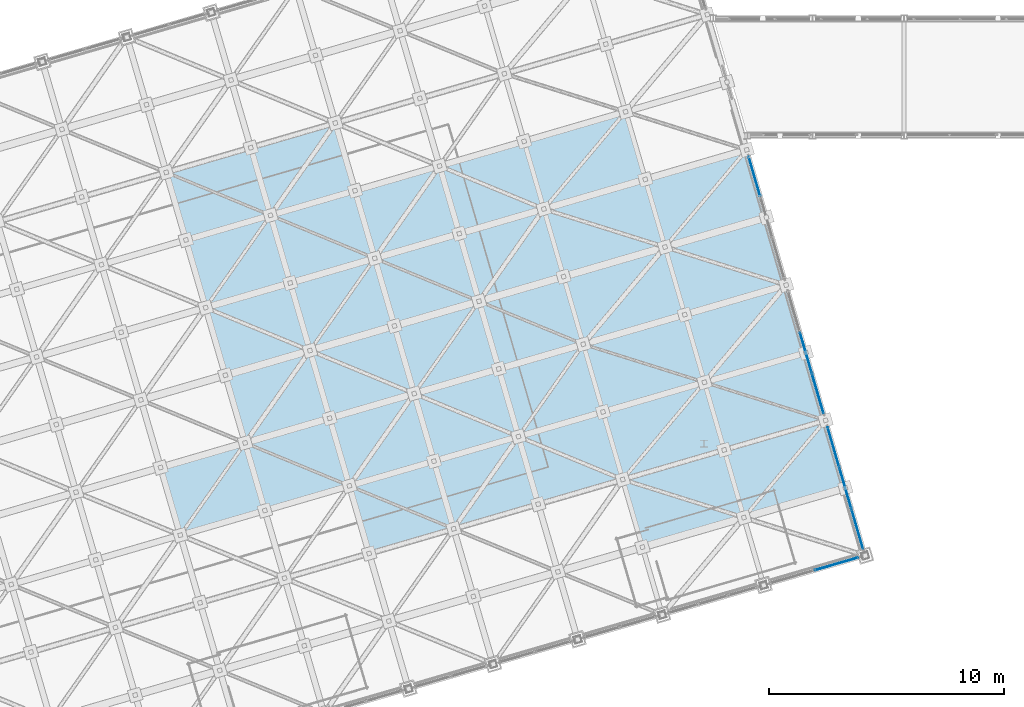
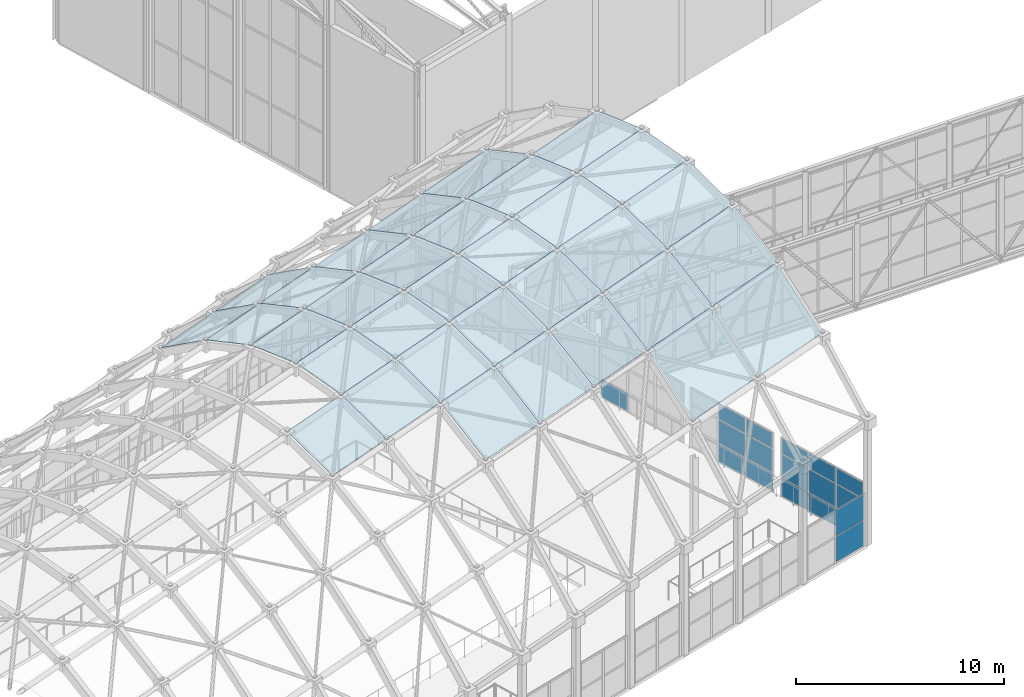
# One storey, part 203 of 248: 51 plates, 4 elements without a shape of their own.
"""IFC4 building model written with IfcOpenShell, lengths in metres."""

from ifc_helpers import new_model, si_unit, direction, frame, origin, origin_2d, place, context, subcontext, project, spatial, polyline, rectangle, outline, extrude, material, layer, layer_set, type_object, element, aggregate, save


model = new_model("IFC4")

# Units and contexts
model_context = context("Model", 3, precision=1e-05, world=origin(), true_north=direction((0.0, 1.0)))
body_context = subcontext(model_context, "Body", "Model", "MODEL_VIEW")
ifc_project = project(units=[si_unit("LENGTHUNIT", "METRE"), si_unit("AREAUNIT", "SQUARE_METRE"), si_unit("VOLUMEUNIT", "CUBIC_METRE"), si_unit("PLANEANGLEUNIT", "RADIAN"), si_unit("MASSUNIT", "GRAM", prefix="KILO")], contexts=[model_context])

# Site, building, storey
site_placement = place(None, origin())
site = spatial("IfcSite", under=ifc_project, at=site_placement, CompositionType="ELEMENT")
building_placement = place(site_placement, origin())
building = spatial("IfcBuilding", under=site, at=building_placement, Name="Canggui Botanical Conservatory", CompositionType="ELEMENT")
storey_placement = place(building_placement, frame((0.0, 0.0, 5.39990234375)))
storey = spatial("IfcBuildingStorey", under=building, at=storey_placement, Name="L02", CompositionType="ELEMENT", Elevation=5.39990234375)

# Curtain wall, plates
ifc_material_1 = material(Name="Thermally Broken Aluminium", Category="aluminium")
ifc_layer_1 = layer(ifc_material_1, 0.14990234375, Name="Thermally Broken Aluminium", Category="aluminium")
ifc_layer_set_1 = layer_set([ifc_layer_1], Name="Thermally Broken Aluminium")
curtain_wall_type_1 = type_object("IfcCurtainWallType", Name="CW-UNIT-C", PredefinedType="USERDEFINED", material=ifc_layer_set_1)
curtain_wall_1_placement = place(storey_placement, origin())
curtain_wall_1 = element("IfcCurtainWall", 1, at=curtain_wall_1_placement, inside=storey, type_object=curtain_wall_type_1, Name="Facade Curtain Wall CW-CONS-GABLE-L02-N-01", ObjectType="UNITISED CURTAIN WALL", PredefinedType="USERDEFINED")
ifc_material_2 = material(Name="Low-E Insulated Glass", Category="glass")
ifc_layer_2 = layer(ifc_material_2, 0.033935546875, Name="Low-E Insulated Glass", Category="glass")
ifc_layer_set_2 = layer_set([ifc_layer_2], Name="Low-E Insulated Glass")
plate_type_1 = type_object("IfcPlateType", Name="CWP-03", PredefinedType="CURTAIN_PANEL", material=ifc_layer_set_2)
plate_1_placement = place(storey_placement, frame((71.509033203125, 58.25439453125, 0.054931640625), z_axis=(0.0, 0.0, 1.0), x_axis=(-0.279999999995, 0.960000000002, 0.0)))
plate_1 = element("IfcPlate", 2, at=plate_1_placement, type_object=plate_type_1, Name="CW-03 panel 1.1", PredefinedType="CURTAIN_PANEL", context=body_context, shape_type="SweptSolid", body=[
    extrude(rectangle(XDim=1.743408203125, YDim=0.033935546875, at=origin_2d()), origin(), (0.0, 0.0, 1.0), 1.03759765625),
])
plate_2_placement = place(storey_placement, frame((71.509033203125, 58.25439453125, 1.1474609375), z_axis=(0.0, 0.0, 1.0), x_axis=(-0.279999999995, 0.960000000002, 0.0)))
plate_2 = element("IfcPlate", 3, at=plate_2_placement, type_object=plate_type_1, Name="CW-03 panel 1.2", PredefinedType="CURTAIN_PANEL", context=body_context, shape_type="SweptSolid", body=[
    extrude(rectangle(XDim=1.743408203125, YDim=0.033935546875, at=origin_2d()), origin(), (0.0, 0.0, 1.0), 1.344970703125),
])
plate_3_placement = place(storey_placement, frame((71.509033203125, 58.25439453125, 2.547607421875), z_axis=(0.0, 0.0, 1.0), x_axis=(-0.279999999995, 0.960000000002, 0.0)))
plate_3 = element("IfcPlate", 4, at=plate_3_placement, type_object=plate_type_1, Name="CW-03 panel 1.3", PredefinedType="CURTAIN_PANEL", context=body_context, shape_type="SweptSolid", body=[
    extrude(rectangle(XDim=1.743408203125, YDim=0.033935546875, at=origin_2d()), origin(), (0.0, 0.0, 1.0), 0.8974609375),
])
plate_4_placement = place(storey_placement, frame((71.0, 60.0, 0.054931640625), z_axis=(0.0, 0.0, 1.0), x_axis=(-0.279999999995, 0.960000000002, 0.0)))
plate_4 = element("IfcPlate", 5, at=plate_4_placement, type_object=plate_type_1, Name="CW-03 panel 2.1", PredefinedType="CURTAIN_PANEL", context=body_context, shape_type="SweptSolid", body=[
    extrude(rectangle(XDim=1.7734375, YDim=0.033935546875, at=origin_2d()), origin(), (0.0, 0.0, 1.0), 1.03759765625),
])
plate_5_placement = place(storey_placement, frame((71.0, 60.0, 1.1474609375), z_axis=(0.0, 0.0, 1.0), x_axis=(-0.279999999995, 0.960000000002, 0.0)))
plate_5 = element("IfcPlate", 6, at=plate_5_placement, type_object=plate_type_1, Name="CW-03 panel 2.2", PredefinedType="CURTAIN_PANEL", context=body_context, shape_type="SweptSolid", body=[
    extrude(rectangle(XDim=1.7734375, YDim=0.033935546875, at=origin_2d()), origin(), (0.0, 0.0, 1.0), 1.344970703125),
])
plate_6_placement = place(storey_placement, frame((71.0, 60.0, 2.547607421875), z_axis=(0.0, 0.0, 1.0), x_axis=(-0.279999999995, 0.960000000002, 0.0)))
plate_6 = element("IfcPlate", 7, at=plate_6_placement, type_object=plate_type_1, Name="CW-03 panel 2.3", PredefinedType="CURTAIN_PANEL", context=body_context, shape_type="SweptSolid", body=[
    extrude(rectangle(XDim=1.7734375, YDim=0.033935546875, at=origin_2d()), origin(), (0.0, 0.0, 1.0), 0.8974609375),
])
plate_7_placement = place(storey_placement, frame((70.490966796875, 61.74560546875, 0.054931640625), z_axis=(0.0, 0.0, 1.0), x_axis=(-0.279999999995, 0.960000000002, 0.0)))
plate_7 = element("IfcPlate", 8, at=plate_7_placement, type_object=plate_type_1, Name="CW-03 panel 3.1", PredefinedType="CURTAIN_PANEL", context=body_context, shape_type="SweptSolid", body=[
    extrude(rectangle(XDim=1.743408203125, YDim=0.033935546875, at=origin_2d()), origin(), (0.0, 0.0, 1.0), 1.03759765625),
])
plate_8_placement = place(storey_placement, frame((70.490966796875, 61.74560546875, 1.1474609375), z_axis=(0.0, 0.0, 1.0), x_axis=(-0.279999999995, 0.960000000002, 0.0)))
plate_8 = element("IfcPlate", 9, at=plate_8_placement, type_object=plate_type_1, Name="CW-03 panel 3.2", PredefinedType="CURTAIN_PANEL", context=body_context, shape_type="SweptSolid", body=[
    extrude(rectangle(XDim=1.743408203125, YDim=0.033935546875, at=origin_2d()), origin(), (0.0, 0.0, 1.0), 1.344970703125),
])
plate_9_placement = place(storey_placement, frame((70.490966796875, 61.74560546875, 2.547607421875), z_axis=(0.0, 0.0, 1.0), x_axis=(-0.279999999995, 0.960000000002, 0.0)))
plate_9 = element("IfcPlate", 10, at=plate_9_placement, type_object=plate_type_1, Name="CW-03 panel 3.3", PredefinedType="CURTAIN_PANEL", context=body_context, shape_type="SweptSolid", body=[
    extrude(rectangle(XDim=1.743408203125, YDim=0.033935546875, at=origin_2d()), origin(), (0.0, 0.0, 1.0), 0.8974609375),
])
aggregate(curtain_wall_1, [plate_1, plate_2, plate_3, plate_4, plate_5, plate_6, plate_7, plate_8, plate_9])

curtain_wall_2_placement = place(storey_placement, origin())
curtain_wall_2 = element("IfcCurtainWall", 11, at=curtain_wall_2_placement, inside=storey, type_object=curtain_wall_type_1, Name="Facade Curtain Wall CW-CONS-GABLE-L02-N-02", ObjectType="UNITISED CURTAIN WALL", PredefinedType="USERDEFINED")
plate_10_placement = place(storey_placement, frame((69.8291015625, 64.014404296875, 0.054931640625), z_axis=(0.0, 0.0, 1.0), x_axis=(-0.279999999995, 0.960000000002, 0.0)))
plate_10 = element("IfcPlate", 12, at=plate_10_placement, type_object=plate_type_1, Name="CW-03 panel 1.1", PredefinedType="CURTAIN_PANEL", context=body_context, shape_type="SweptSolid", body=[
    extrude(rectangle(XDim=1.743408203125, YDim=0.033935546875, at=origin_2d()), origin(), (0.0, 0.0, 1.0), 1.03759765625),
])
plate_11_placement = place(storey_placement, frame((69.8291015625, 64.014404296875, 1.1474609375), z_axis=(0.0, 0.0, 1.0), x_axis=(-0.279999999995, 0.960000000002, 0.0)))
plate_11 = element("IfcPlate", 13, at=plate_11_placement, type_object=plate_type_1, Name="CW-03 panel 1.2", PredefinedType="CURTAIN_PANEL", context=body_context, shape_type="SweptSolid", body=[
    extrude(rectangle(XDim=1.743408203125, YDim=0.033935546875, at=origin_2d()), origin(), (0.0, 0.0, 1.0), 1.344970703125),
])
plate_12_placement = place(storey_placement, frame((69.8291015625, 64.014404296875, 2.547607421875), z_axis=(0.0, 0.0, 1.0), x_axis=(-0.279999999995, 0.960000000002, 0.0)))
plate_12 = element("IfcPlate", 14, at=plate_12_placement, type_object=plate_type_1, Name="CW-03 panel 1.3", PredefinedType="CURTAIN_PANEL", context=body_context, shape_type="SweptSolid", body=[
    extrude(rectangle(XDim=1.743408203125, YDim=0.033935546875, at=origin_2d()), origin(), (0.0, 0.0, 1.0), 0.8974609375),
])
plate_13_placement = place(storey_placement, frame((69.320068359375, 65.760009765625, 0.054931640625), z_axis=(0.0, 0.0, 1.0), x_axis=(-0.279999999995, 0.960000000002, 0.0)))
plate_13 = element("IfcPlate", 15, at=plate_13_placement, type_object=plate_type_1, Name="CW-03 panel 2.1", PredefinedType="CURTAIN_PANEL", context=body_context, shape_type="SweptSolid", body=[
    extrude(rectangle(XDim=1.7734375, YDim=0.033935546875, at=origin_2d()), origin(), (0.0, 0.0, 1.0), 1.03759765625),
])
plate_14_placement = place(storey_placement, frame((69.320068359375, 65.760009765625, 1.1474609375), z_axis=(0.0, 0.0, 1.0), x_axis=(-0.279999999995, 0.960000000002, 0.0)))
plate_14 = element("IfcPlate", 16, at=plate_14_placement, type_object=plate_type_1, Name="CW-03 panel 2.2", PredefinedType="CURTAIN_PANEL", context=body_context, shape_type="SweptSolid", body=[
    extrude(rectangle(XDim=1.7734375, YDim=0.033935546875, at=origin_2d()), origin(), (0.0, 0.0, 1.0), 1.344970703125),
])
plate_15_placement = place(storey_placement, frame((69.320068359375, 65.760009765625, 2.547607421875), z_axis=(0.0, 0.0, 1.0), x_axis=(-0.279999999995, 0.960000000002, 0.0)))
plate_15 = element("IfcPlate", 17, at=plate_15_placement, type_object=plate_type_1, Name="CW-03 panel 2.3", PredefinedType="CURTAIN_PANEL", context=body_context, shape_type="SweptSolid", body=[
    extrude(rectangle(XDim=1.7734375, YDim=0.033935546875, at=origin_2d()), origin(), (0.0, 0.0, 1.0), 0.8974609375),
])
aggregate(curtain_wall_2, [plate_10, plate_11, plate_12, plate_13, plate_14, plate_15])

# Curtain wall, plate
curtain_wall_3_placement = place(storey_placement, origin())
curtain_wall_3 = element("IfcCurtainWall", 18, at=curtain_wall_3_placement, inside=storey, type_object=curtain_wall_type_1, Name="Facade Curtain Wall CW-CONS-GABLE-L02-N-03", ObjectType="UNITISED CURTAIN WALL", PredefinedType="USERDEFINED")
plate_16_placement = place(storey_placement, frame((67.130859375, 73.265625, 0.054931640625), z_axis=(0.0, 0.0, 1.0), x_axis=(-0.279999999995, 0.960000000002, 0.0)))
plate_16 = element("IfcPlate", 19, at=plate_16_placement, type_object=plate_type_1, Name="CW-03 panel 3.1", PredefinedType="CURTAIN_PANEL", context=body_context, shape_type="SweptSolid", body=[
    extrude(rectangle(XDim=1.743408203125, YDim=0.033935546875, at=origin_2d()), origin(), (0.0, 0.0, 1.0), 1.03759765625),
])
aggregate(curtain_wall_3, [plate_16])

# Curtain wall, plates
ifc_layer_3 = layer(ifc_material_1, 0.135009765625, Name="Thermally Broken Aluminium", Category="aluminium")
ifc_layer_set_3 = layer_set([ifc_layer_3], Name="Thermally Broken Aluminium")
curtain_wall_type_2 = type_object("IfcCurtainWallType", Name="CW-STICK-A", PredefinedType="USERDEFINED", material=ifc_layer_set_3)
curtain_wall_4_placement = place(storey_placement, origin())
curtain_wall_4 = element("IfcCurtainWall", 20, at=curtain_wall_4_placement, inside=storey, type_object=curtain_wall_type_2, Name="Facade Curtain Wall CW-CONS-L02-V0-14", ObjectType="STICK GLAZED WALL", PredefinedType="USERDEFINED")
ifc_layer_4 = layer(ifc_material_2, 0.0380859375, Name="Low-E Insulated Glass", Category="glass")
ifc_layer_set_4 = layer_set([ifc_layer_4], Name="Low-E Insulated Glass")
plate_type_2 = type_object("IfcPlateType", Name="CWP-04", PredefinedType="CURTAIN_PANEL", material=ifc_layer_set_4)
plate_17_placement = place(storey_placement, frame((70.62548828125, 56.765869140625, 0.050048828125), z_axis=(0.0, 0.0, 1.0), x_axis=(-0.960000000002, -0.279999999995, 0.0)))
plate_17 = element("IfcPlate", 21, at=plate_17_placement, type_object=plate_type_2, Name="CW-04 panel 1.1", PredefinedType="CURTAIN_PANEL", context=body_context, shape_type="SweptSolid", body=[
    extrude(rectangle(XDim=1.909912109375, YDim=0.0380859375, at=origin_2d()), origin(), (0.0, 0.0, 1.0), 1.47509765625),
])
plate_18_placement = place(storey_placement, frame((70.62548828125, 56.765869140625, 1.574951171875), z_axis=(0.0, 0.0, 1.0), x_axis=(-0.960000000002, -0.279999999995, 0.0)))
plate_18 = element("IfcPlate", 22, at=plate_18_placement, type_object=plate_type_2, Name="CW-04 panel 1.2", PredefinedType="CURTAIN_PANEL", context=body_context, shape_type="SweptSolid", body=[
    extrude(rectangle(XDim=1.909912109375, YDim=0.0380859375, at=origin_2d()), origin(), (0.0, 0.0, 1.0), 1.47509765625),
])
aggregate(curtain_wall_4, [plate_17, plate_18])

# Plates
ifc_layer_5 = layer(ifc_material_2, 0.028076171875, Name="Low-E Insulated Glass", Category="glass")
ifc_layer_set_5 = layer_set([ifc_layer_5], Name="Low-E Insulated Glass")
plate_type_3 = type_object("IfcPlateType", Name="PLT-GS-GLAZ-28", PredefinedType="SHEET", material=ifc_layer_set_5)
plate_19_placement = place(storey_placement, frame((42.679931640625, 57.989990234375, 13.67919921875), z_axis=(0.040530637758, -0.360831619611, 0.931749864337), x_axis=(0.957872839569, 0.279381114647, 0.066526806583)))
element("IfcPlate", 23, at=plate_19_placement, inside=storey, type_object=plate_type_3, Name="Conservatory Stepped-Arch Roof Glazing Panel 8-4", PredefinedType="SHEET", context=body_context, shape_type="SweptSolid", body=[
    extrude(outline(polyline([(0.0, 0.0), (3.7584312783998963, -5.551115123125783e-17), (3.834948041308109, 3.2125362071208245), (0.07681882686187883, 3.212684030173409), (0.0, 0.0)])), origin(), (0.0, 0.0, -1.0), 0.028076171875),
])
plate_20_placement = place(storey_placement, frame((46.280029296875, 59.0400390625, 13.92919921875), z_axis=(0.040545841784, -0.360840794112, 0.931745649852), x_axis=(0.957867112999, 0.279401777977, 0.066522479646)))
element("IfcPlate", 24, at=plate_20_placement, inside=storey, type_object=plate_type_3, Name="Conservatory Stepped-Arch Roof Glazing Panel 9-4", PredefinedType="SHEET", context=body_context, shape_type="SweptSolid", body=[
    extrude(outline(polyline([(0.0, 0.0), (3.758197423683309, 1.5265566588595902e-16), (3.835007375651945, 3.2124653757340846), (0.07657609769300154, 3.212534793560152), (0.0, 0.0)])), origin(), (0.0, 0.0, -1.0), 0.028076171875),
])
plate_21_placement = place(storey_placement, frame((45.43994140625, 61.919921875, 15.0810546875), z_axis=(-0.027868329679, -0.140099194422, 0.989745205557), x_axis=(0.95787239265, 0.279384741581, 0.066518009371)))
element("IfcPlate", 25, at=plate_21_placement, inside=storey, type_object=plate_type_3, Name="Conservatory Stepped-Arch Roof Glazing Panel 9-5", PredefinedType="SHEET", context=body_context, shape_type="SweptSolid", body=[
    extrude(outline(polyline([(0.0, 0.0), (3.758431278601733, 9.71445146547012e-17), (3.783942929496028, 3.024518075140464), (0.02574550645890693, 3.0244482902703442), (0.0, 0.0)])), origin(), (0.0, 0.0, -1.0), 0.028076171875),
])
plate_22_placement = place(storey_placement, frame((44.60009765625, 64.800048828125, 15.465087890625), z_axis=(-0.098822412777, 0.103159382446, 0.989743538775), x_axis=(0.957867376811, 0.279401922068, 0.066518075626)))
element("IfcPlate", 26, at=plate_22_placement, inside=storey, type_object=plate_type_3, Name="Conservatory Stepped-Arch Roof Glazing Panel 9-6", PredefinedType="SHEET", context=body_context, shape_type="SweptSolid", body=[
    extrude(outline(polyline([(0.0, 0.0), (3.7581974236672075, -6.245004513516506e-17), (3.732838137418493, 3.0242190637757793), (-0.025593140588756152, 3.0242849022238962), (0.0, 0.0)])), origin(), (0.0, 0.0, -1.0), 0.028076171875),
])
plate_23_placement = place(storey_placement, frame((43.760009765625, 67.679931640625, 15.0810546875), z_axis=(-0.159797189994, 0.326029026092, 0.93175636956), x_axis=(0.957872417874, 0.27938486839, 0.066517113516)))
element("IfcPlate", 27, at=plate_23_placement, inside=storey, type_object=plate_type_3, Name="Conservatory Stepped-Arch Roof Glazing Panel 9-7", PredefinedType="SHEET", context=body_context, shape_type="SweptSolid", body=[
    extrude(outline(polyline([(0.0, 0.0), (3.7584312786032728, 2.220446049250313e-16), (3.681780048359814, 3.2127518640385704), (-0.0766512302434586, 3.2127518640385704), (0.0, 0.0)])), origin(), (0.0, 0.0, -1.0), 0.028076171875),
])
plate_24_placement = place(storey_placement, frame((49.8798828125, 60.090087890625, 14.17919921875), z_axis=(0.040530637758, -0.360831619611, 0.931749864337), x_axis=(0.957889271817, 0.279329682868, 0.066506174198)))
element("IfcPlate", 28, at=plate_24_placement, inside=storey, type_object=plate_type_3, Name="Conservatory Stepped-Arch Roof Glazing Panel 10-4", PredefinedType="SHEET", context=body_context, shape_type="SweptSolid", body=[
    extrude(outline(polyline([(0.0, 0.0), (3.75836307639819, 1.1102230246251565e-16), (3.8347623474781347, 3.2127578651306954), (0.0765649350420906, 3.21247122436261), (0.0, 0.0)])), origin(), (0.0, 0.0, -1.0), 0.028076171875),
])
plate_25_placement = place(storey_placement, frame((49.0400390625, 62.969970703125, 15.3310546875), z_axis=(-0.027871083236, -0.140105800642, 0.989744192883), x_axis=(0.957866958003, 0.279401742439, 0.06652486068)))
element("IfcPlate", 29, at=plate_25_placement, inside=storey, type_object=plate_type_3, Name="Conservatory Stepped-Arch Roof Glazing Panel 10-5", PredefinedType="SHEET", context=body_context, shape_type="SweptSolid", body=[
    extrude(outline(polyline([(0.0, 0.0), (3.7581974236615956, 1.5959455978986625e-16), (3.783930876819173, 3.0242159030813762), (0.025567812235809104, 3.0245176008719272), (0.0, 0.0)])), origin(), (0.0, 0.0, -1.0), 0.028076171875),
])
plate_26_placement = place(storey_placement, frame((48.199951171875, 65.85009765625, 15.715087890625), z_axis=(-0.098818088197, 0.103156370705, 0.989744284463), x_axis=(0.957889151865, 0.279325655724, 0.066524813365)))
element("IfcPlate", 30, at=plate_26_placement, inside=storey, type_object=plate_type_3, Name="Conservatory Stepped-Arch Roof Glazing Panel 10-6", PredefinedType="SHEET", context=body_context, shape_type="SweptSolid", body=[
    extrude(outline(polyline([(0.0, 0.0), (3.758363076636668, -9.020562075079397e-17), (3.7325976121788313, 3.0245159234872125), (-0.025599799541786473, 3.0242170373346164), (0.0, 0.0)])), origin(), (0.0, 0.0, -1.0), 0.028076171875),
])
plate_27_placement = place(storey_placement, frame((47.360107421875, 68.72998046875, 15.3310546875), z_axis=(-0.159796453637, 0.326047322718, 0.931750093509), x_axis=(0.957869581425, 0.279397107964, 0.066506548873)))
element("IfcPlate", 31, at=plate_27_placement, inside=storey, type_object=plate_type_3, Name="Conservatory Stepped-Arch Roof Glazing Panel 10-7", PredefinedType="SHEET", context=body_context, shape_type="SweptSolid", body=[
    extrude(outline(polyline([(0.0, 0.0), (3.7581974232186135, 1.6653345369377348e-16), (3.6817616390031107, 3.212474299727593), (-0.07660142690921903, 3.2127530513345217), (0.0, 0.0)])), origin(), (0.0, 0.0, -1.0), 0.028076171875),
])
plate_28_placement = place(storey_placement, frame((53.47998046875, 61.139892578125, 14.42919921875), z_axis=(0.040536337233, -0.360815364334, 0.93175591129), x_axis=(0.957872417874, 0.27938486839, 0.066517113516)))
element("IfcPlate", 32, at=plate_28_placement, inside=storey, type_object=plate_type_3, Name="Conservatory Stepped-Arch Roof Glazing Panel 11-4", PredefinedType="SHEET", context=body_context, shape_type="SweptSolid", body=[
    extrude(outline(polyline([(0.0, 0.0), (3.7584312786032728, -1.249000902703301e-16), (3.835016250296977, 3.212753444180213), (0.0765849716937042, 3.2127534441802124), (0.0, 0.0)])), origin(), (0.0, 0.0, -1.0), 0.028076171875),
])
plate_29_placement = place(storey_placement, frame((52.639892578125, 64.02001953125, 15.5810546875), z_axis=(-0.027865096775, -0.140109937673, 0.989743775806), x_axis=(0.957872392656, 0.279384741586, 0.066518009266)))
element("IfcPlate", 33, at=plate_29_placement, inside=storey, type_object=plate_type_3, Name="Conservatory Stepped-Arch Roof Glazing Panel 11-5", PredefinedType="SHEET", context=body_context, shape_type="SweptSolid", body=[
    extrude(outline(polyline([(0.0, 0.0), (3.758431278601733, -2.2898349882893854e-16), (3.7838747202996434, 3.024286165374089), (0.02567729726252356, 3.024216380427026), (0.0, 0.0)])), origin(), (0.0, 0.0, -1.0), 0.028076171875),
])
plate_30_placement = place(storey_placement, frame((51.800048828125, 66.89990234375, 15.965087890625), z_axis=(-0.09882016722, 0.103151433169, 0.989744591491), x_axis=(0.957867376797, 0.279401922101, 0.066518075695)))
element("IfcPlate", 34, at=plate_30_placement, inside=storey, type_object=plate_type_3, Name="Conservatory Stepped-Arch Roof Glazing Panel 11-6", PredefinedType="SHEET", context=body_context, shape_type="SweptSolid", body=[
    extrude(outline(polyline([(0.0, 0.0), (3.7581974236672084, 4.163336342344337e-17), (3.732906350859214, 3.024452124455653), (-0.025524927148032735, 3.0245179631046795), (0.0, 0.0)])), origin(), (0.0, 0.0, -1.0), 0.028076171875),
])
plate_31_placement = place(storey_placement, frame((50.9599609375, 69.780029296875, 15.5810546875), z_axis=(-0.159809493814, 0.326055325033, 0.93174505671), x_axis=(0.957871588402, 0.279386560771, 0.066521949704)))
element("IfcPlate", 35, at=plate_31_placement, inside=storey, type_object=plate_type_3, Name="Conservatory Stepped-Arch Roof Glazing Panel 11-7", PredefinedType="SHEET", context=body_context, shape_type="SweptSolid", body=[
    extrude(outline(polyline([(0.0, 0.0), (3.7584312785526452, 8.326672684688674e-17), (3.6817118392130244, 3.21253137351899), (-0.07648558397135871, 3.21247311492256), (0.0, 0.0)])), origin(), (0.0, 0.0, -1.0), 0.028076171875),
])
plate_32_placement = place(storey_placement, frame((57.080078125, 62.18994140625, 14.67919921875), z_axis=(0.040538045254, -0.36081639495, 0.931755437882), x_axis=(0.957867112979, 0.2794017781, 0.066522479423)))
element("IfcPlate", 36, at=plate_32_placement, inside=storey, type_object=plate_type_3, Name="Conservatory Stepped-Arch Roof Glazing Panel 12-4", PredefinedType="SHEET", context=body_context, shape_type="SweptSolid", body=[
    extrude(outline(polyline([(0.0, 0.0), (3.7581974236833102, 1.5265566588595902e-16), (3.8350755890926655, 3.212682611008945), (0.07664431113372543, 3.2127520291064315), (0.0, 0.0)])), origin(), (0.0, 0.0, -1.0), 0.028076171875),
])
plate_33_placement = place(storey_placement, frame((56.239990234375, 65.070068359375, 15.8310546875), z_axis=(-0.027863906202, -0.140110760435, 0.989743692853), x_axis=(0.957872417874, 0.27938486839, 0.066517113516)))
element("IfcPlate", 37, at=plate_33_placement, inside=storey, type_object=plate_type_3, Name="Conservatory Stepped-Arch Roof Glazing Panel 12-5", PredefinedType="SHEET", context=body_context, shape_type="SweptSolid", body=[
    extrude(outline(polyline([(0.0, 0.0), (3.7584312786032728, 1.3877787807814457e-16), (3.783874720298094, 3.024286165376028), (0.02544344169482141, 3.024286165376028), (0.0, 0.0)])), origin(), (0.0, 0.0, -1.0), 0.028076171875),
])
plate_34_placement = place(storey_placement, frame((55.39990234375, 67.949951171875, 16.215087890625), z_axis=(-0.098818088197, 0.103156370705, 0.989744284463), x_axis=(0.957872431798, 0.279384853855, 0.066516974057)))
element("IfcPlate", 38, at=plate_34_placement, inside=storey, type_object=plate_type_3, Name="Conservatory Stepped-Arch Roof Glazing Panel 12-6", PredefinedType="SHEET", context=body_context, shape_type="SweptSolid", body=[
    extrude(outline(polyline([(0.0, 0.0), (3.758431278603235, 9.71445146547012e-17), (3.732785159965965, 3.0242844534548476), (-0.02534405387026474, 3.024451680977355), (0.0, 0.0)])), origin(), (0.0, 0.0, -1.0), 0.028076171875),
])
plate_35_placement = place(storey_placement, frame((54.56005859375, 70.830078125, 15.8310546875), z_axis=(-0.159796453637, 0.326047322718, 0.931750093509), x_axis=(0.957883580986, 0.279344121408, 0.066527491404)))
element("IfcPlate", 39, at=plate_35_placement, inside=storey, type_object=plate_type_3, Name="Conservatory Stepped-Arch Roof Glazing Panel 12-7", PredefinedType="SHEET", context=body_context, shape_type="SweptSolid", body=[
    extrude(outline(polyline([(0.0, 0.0), (3.758129217502079, -1.3877787807814457e-16), (3.6815731572518837, 3.212690302635402), (-0.0768581177947249, 3.2125280586967877), (0.0, 0.0)])), origin(), (0.0, 0.0, -1.0), 0.028076171875),
])
plate_36_placement = place(storey_placement, frame((60.679931640625, 63.239990234375, 14.92919921875), z_axis=(0.040553627057, -0.360859663037, 0.931738003371), x_axis=(0.957878555442, 0.279366360081, 0.066506464945)))
element("IfcPlate", 40, at=plate_36_placement, inside=storey, type_object=plate_type_3, Name="Conservatory Stepped-Arch Roof Glazing Panel 13-4", PredefinedType="SHEET", context=body_context, shape_type="SweptSolid", body=[
    extrude(outline(polyline([(0.0, 0.0), (4.510044131317461, -6.938893903907228e-17), (4.586506407272735, 3.2126250457571555), (0.0767481007723096, 3.2126857171358996), (0.0, 0.0)])), origin(), (0.0, 0.0, -1.0), 0.028076171875),
])
plate_37_placement = place(storey_placement, frame((59.840087890625, 66.1201171875, 16.0810546875), z_axis=(-0.027882246757, -0.140108955061, 0.989743431919), x_axis=(0.95788388071, 0.279342796606, 0.066528738599)))
element("IfcPlate", 41, at=plate_37_placement, inside=storey, type_object=plate_type_3, Name="Conservatory Stepped-Arch Roof Glazing Panel 13-5", PredefinedType="SHEET", context=body_context, shape_type="SweptSolid", body=[
    extrude(outline(polyline([(0.0, 0.0), (4.509758309451777, -1.249000902703301e-16), (4.535377481260644, 3.0244493629831046), (0.02531711451460107, 3.024287225463588), (0.0, 0.0)])), origin(), (0.0, 0.0, -1.0), 0.028076171875),
])
plate_38_placement = place(storey_placement, frame((59.0, 69.0, 16.465087890625), z_axis=(-0.098828464712, 0.103153430375, 0.989743554849), x_axis=(0.957873732332, 0.279377583078, 0.066528783105)))
element("IfcPlate", 42, at=plate_38_placement, inside=storey, type_object=plate_type_3, Name="Conservatory Stepped-Arch Roof Glazing Panel 13-6", PredefinedType="SHEET", context=body_context, shape_type="SweptSolid", body=[
    extrude(outline(polyline([(0.0, 0.0), (4.5100603697071024, -1.6653345369377348e-16), (4.484387684455701, 3.024284228051673), (-0.025672685251400047, 3.024284228051673), (0.0, 0.0)])), origin(), (0.0, 0.0, -1.0), 0.028076171875),
])
plate_39_placement = place(storey_placement, frame((58.159912109375, 71.8798828125, 16.0810546875), z_axis=(-0.159795083395, 0.326070275553, 0.931742296305), x_axis=(0.957877071251, 0.279370770325, 0.066509315577)))
element("IfcPlate", 43, at=plate_39_placement, inside=storey, type_object=plate_type_3, Name="Conservatory Stepped-Arch Roof Glazing Panel 13-7", PredefinedType="SHEET", context=body_context, shape_type="SweptSolid", body=[
    extrude(outline(polyline([(0.0, 0.0), (4.510060368722676, -5.551115123125783e-17), (4.433357369489775, 3.2128381660212715), (-0.07645290490017895, 3.2126927577770528), (0.0, 0.0)])), origin(), (0.0, 0.0, -1.0), 0.028076171875),
])
plate_40_placement = place(storey_placement, frame((65.0, 64.5, 15.22900390625), z_axis=(0.040551188911, -0.360906266248, 0.931720058849), x_axis=(0.957873732332, 0.279377583078, 0.066528783105)))
element("IfcPlate", 44, at=plate_40_placement, inside=storey, type_object=plate_type_3, Name="Conservatory Stepped-Arch Roof Glazing Panel 14-4", PredefinedType="SHEET", context=body_context, shape_type="SweptSolid", body=[
    extrude(outline(polyline([(0.0, 0.0), (4.5100603697071024, -1.3877787807814457e-16), (4.586584731158409, 3.2126235711228555), (0.07652436145130713, 3.2126235711228555), (0.0, 0.0)])), origin(), (0.0, 0.0, -1.0), 0.028076171875),
])
plate_41_placement = place(storey_placement, frame((64.159912109375, 67.3798828125, 16.381103515625), z_axis=(-0.027880221415, -0.140102554476, 0.989744395025), x_axis=(0.957873711294, 0.279377477355, 0.066529529978)))
element("IfcPlate", 45, at=plate_41_placement, inside=storey, type_object=plate_type_3, Name="Conservatory Stepped-Arch Roof Glazing Panel 14-5", PredefinedType="SHEET", context=body_context, shape_type="SweptSolid", body=[
    extrude(outline(polyline([(0.0, 0.0), (4.510060369705817, -4.787836793695988e-16), (4.535554415226089, 3.024518223589623), (0.025727901406819135, 3.0244484400814673), (0.0, 0.0)])), origin(), (0.0, 0.0, -1.0), 0.028076171875),
])
plate_42_placement = place(storey_placement, frame((63.320068359375, 70.260009765625, 16.76513671875), z_axis=(-0.098832096596, 0.103156469542, 0.989742875435), x_axis=(0.957869531647, 0.279391794139, 0.066529585219)))
element("IfcPlate", 46, at=plate_42_placement, inside=storey, type_object=plate_type_3, Name="Conservatory Stepped-Arch Roof Glazing Panel 14-6", PredefinedType="SHEET", context=body_context, shape_type="SweptSolid", body=[
    extrude(outline(polyline([(0.0, 0.0), (4.509826514344321, 3.469446951953614e-17), (4.484431831054587, 3.024218766750263), (-0.025628538155860137, 3.0242846024632937), (0.0, 0.0)])), origin(), (0.0, 0.0, -1.0), 0.028076171875),
])
ifc_layer_6 = layer(ifc_material_2, 0.031982421875, Name="Low-E Insulated Glass", Category="glass")
ifc_layer_set_6 = layer_set([ifc_layer_6], Name="Low-E Insulated Glass")
plate_type_4 = type_object("IfcPlateType", Name="PLT-GS-GLAZ-32", PredefinedType="SHEET", material=ifc_layer_set_6)
plate_43_placement = place(storey_placement, frame((42.919921875, 70.56005859375, 13.92919921875), z_axis=(-0.20453731715, 0.501024805653, 0.840915352466), x_axis=(0.957871059117, 0.279388196794, 0.066522699869)))
element("IfcPlate", 47, at=plate_43_placement, inside=storey, type_object=plate_type_4, Name="Conservatory Stepped-Arch Roof Glazing Panel 9-8", PredefinedType="SHEET", context=body_context, shape_type="SweptSolid", body=[
    extrude(outline(polyline([(0.0, 0.0), (3.758431278520339, 2.220446049250313e-16), (3.6306060393817097, 3.559518354059242), (-0.1275913838995872, 3.5594691323060177), (0.0, 0.0)])), origin(), (0.0, 0.0, -1.0), 0.031982421875),
])
plate_44_placement = place(storey_placement, frame((50.719970703125, 57.2099609375, 12.259033203125), z_axis=(0.096874344437, -0.532407400901, 0.840926703616), x_axis=(0.957874093178, 0.279375661994, 0.066531654907)))
element("IfcPlate", 48, at=plate_44_placement, inside=storey, type_object=plate_type_4, Name="Conservatory Stepped-Arch Roof Glazing Panel 10-3", PredefinedType="SHEET", context=body_context, shape_type="SweptSolid", body=[
    extrude(outline(polyline([(0.0, 0.0), (3.758431278041356, 2.220446049250313e-16), (3.886053841543421, 3.5595256260252115), (0.1276907704507948, 3.5597207082257003), (0.0, 0.0)])), origin(), (0.0, 0.0, -1.0), 0.031982421875),
])
plate_45_placement = place(storey_placement, frame((46.52001953125, 71.610107421875, 14.17919921875), z_axis=(-0.204510654539, 0.501012062835, 0.840929429307), x_axis=(0.957886472284, 0.27933313186, 0.066532004779)))
element("IfcPlate", 49, at=plate_45_placement, inside=storey, type_object=plate_type_4, Name="Conservatory Stepped-Arch Roof Glazing Panel 10-8", PredefinedType="SHEET", context=body_context, shape_type="SweptSolid", body=[
    extrude(outline(polyline([(0.0, 0.0), (3.7583630762199296, 1.942890293094024e-16), (3.630416637701045, 3.5597115280290614), (-0.1280146350842789, 3.5595115472115992), (0.0, 0.0)])), origin(), (0.0, 0.0, -1.0), 0.031982421875),
])
plate_46_placement = place(storey_placement, frame((54.320068359375, 58.260009765625, 12.509033203125), z_axis=(0.096899955489, -0.532419520789, 0.84091607935), x_axis=(0.95786736459, 0.27940057745, 0.066523899275)))
element("IfcPlate", 50, at=plate_46_placement, inside=storey, type_object=plate_type_4, Name="Conservatory Stepped-Arch Roof Glazing Panel 11-3", PredefinedType="SHEET", context=body_context, shape_type="SweptSolid", body=[
    extrude(outline(polyline([(0.0, 0.0), (3.758197423667953, -8.326672684688674e-17), (3.88611635560281, 3.5594573761208164), (0.12768507759779904, 3.559523384680565), (0.0, 0.0)])), origin(), (0.0, 0.0, -1.0), 0.031982421875),
])
plate_47_placement = place(storey_placement, frame((57.919921875, 59.31005859375, 12.759033203125), z_axis=(0.096899955489, -0.532419520789, 0.84091607935), x_axis=(0.957872112914, 0.279386544032, 0.066514466969)))
element("IfcPlate", 51, at=plate_47_placement, inside=storey, type_object=plate_type_4, Name="Conservatory Stepped-Arch Roof Glazing Panel 12-3", PredefinedType="SHEET", context=body_context, shape_type="SweptSolid", body=[
    extrude(outline(polyline([(0.0, 0.0), (3.7584312785846588, 1.6653345369377348e-16), (3.88605384098167, 3.5595256266384943), (0.12785641789332844, 3.5594596221858916), (0.0, 0.0)])), origin(), (0.0, 0.0, -1.0), 0.031982421875),
])
plate_48_placement = place(storey_placement, frame((62.360107421875, 57.47998046875, 10.321044921875), z_axis=(0.139001792986, -0.653707669061, 0.743871484167), x_axis=(0.957869790247, 0.279389610557, 0.066535031708)))
element("IfcPlate", 52, at=plate_48_placement, inside=storey, type_object=plate_type_4, Name="Conservatory Stepped-Arch Roof Glazing Panel 13-2", PredefinedType="SHEET", context=body_context, shape_type="SweptSolid", body=[
    extrude(outline(polyline([(0.0, 0.0), (4.509826514328537, 0.0), (4.688888490989163, 4.024137994514472), (0.17882812173136545, 4.02419935301661), (0.0, 0.0)])), origin(), (0.0, 0.0, -1.0), 0.031982421875),
])
plate_49_placement = place(storey_placement, frame((61.52001953125, 60.360107421875, 13.009033203125), z_axis=(0.096896866674, -0.532392368735, 0.840933625764), x_axis=(0.957871527121, 0.27938970088, 0.066509642716)))
element("IfcPlate", 53, at=plate_49_placement, inside=storey, type_object=plate_type_4, Name="Conservatory Stepped-Arch Roof Glazing Panel 13-3", PredefinedType="SHEET", context=body_context, shape_type="SweptSolid", body=[
    extrude(outline(polyline([(0.0, 0.0), (4.5100603685388645, -2.7755575615628914e-17), (4.637667013332367, 3.5593945015238324), (0.12762288249924328, 3.559525613701045), (0.0, 0.0)])), origin(), (0.0, 0.0, -1.0), 0.031982421875),
])
plate_50_placement = place(storey_placement, frame((66.679931640625, 58.739990234375, 10.62109375), z_axis=(0.13898963002, -0.653726005465, 0.743857642648), x_axis=(0.957875668825, 0.279368475413, 0.066539146514)))
element("IfcPlate", 54, at=plate_50_placement, inside=storey, type_object=plate_type_4, Name="Conservatory Stepped-Arch Roof Glazing Panel 14-2", PredefinedType="SHEET", context=body_context, shape_type="SweptSolid", body=[
    extrude(outline(polyline([(0.0, 0.0), (4.510060369269401, -2.7755575615628914e-17), (4.688765535937472, 4.024030086530544), (0.1790072282267236, 4.024140429826344), (0.0, 0.0)])), origin(), (0.0, 0.0, -1.0), 0.031982421875),
])
plate_51_placement = place(storey_placement, frame((65.840087890625, 61.6201171875, 13.30908203125), z_axis=(0.096851603311, -0.532366050889, 0.84095550108), x_axis=(0.957882612244, 0.279348435329, 0.066523325535)))
element("IfcPlate", 55, at=plate_51_placement, inside=storey, type_object=plate_type_4, Name="Conservatory Stepped-Arch Roof Glazing Panel 14-3", PredefinedType="SHEET", context=body_context, shape_type="SweptSolid", body=[
    extrude(outline(polyline([(0.0, 0.0), (4.509758309185043, -1.6653345369377348e-16), (4.637565129853186, 3.559527245351414), (0.12750476230692112, 3.559398153701535), (0.0, 0.0)])), origin(), (0.0, 0.0, -1.0), 0.031982421875),
])

save(model, "model.ifc")
